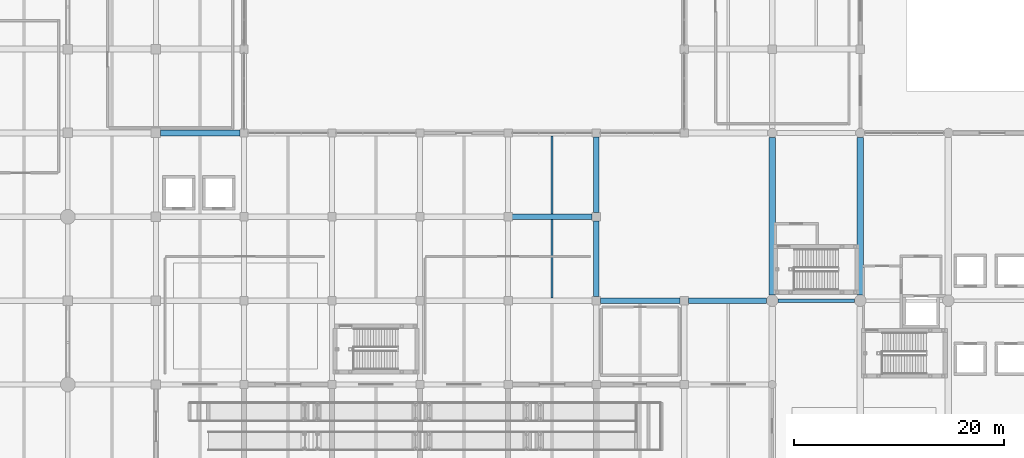
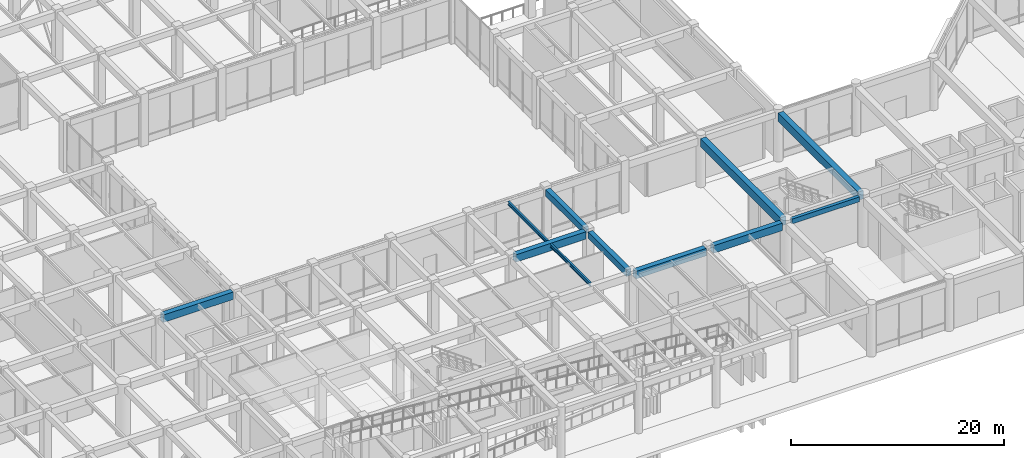
# One storey, part 23 of 76: 11 beams.
"""IFC4 building model written with IfcOpenShell, lengths in metres."""

from ifc_helpers import new_model, si_unit, direction, frame, origin, origin_2d, place, context, subcontext, project, spatial, rectangle, i_section, extrude, material, material_profile, profile_set, type_object, element, save


model = new_model("IFC4")

# Units and contexts
model_context = context("Model", 3, precision=1e-05, world=origin(), true_north=direction((0.0, 1.0)))
body_context = subcontext(model_context, "Body", "Model", "MODEL_VIEW")
ifc_project = project(units=[si_unit("LENGTHUNIT", "METRE"), si_unit("AREAUNIT", "SQUARE_METRE"), si_unit("VOLUMEUNIT", "CUBIC_METRE"), si_unit("PLANEANGLEUNIT", "RADIAN"), si_unit("MASSUNIT", "GRAM", prefix="KILO")], contexts=[model_context])

# Site, building, storey
site_placement = place(None, origin())
site = spatial("IfcSite", under=ifc_project, at=site_placement, CompositionType="ELEMENT")
building_placement = place(site_placement, origin())
building = spatial("IfcBuilding", under=site, at=building_placement, Name="Naruveol Harbour Congress Hotel", CompositionType="ELEMENT")
storey_placement = place(building_placement, origin())
storey = spatial("IfcBuildingStorey", under=building, at=storey_placement, Name="L00", CompositionType="ELEMENT", Elevation=0.0)

# Beams
ifc_material_1 = material(Name="Concrete C40/50", Category="concrete")
ifc_material_profile_1 = material_profile(ifc_material_1, rectangle(XDim=0.5, YDim=0.75, at=origin_2d()), Name="RCB-500x750")
ifc_profile_set_1 = profile_set([ifc_material_profile_1], Name="Concrete C40/50")
beam_type_1 = type_object("IfcBeamType", Name="RC FLOOR GIRDER 500X750", PredefinedType="BEAM", material=ifc_profile_set_1)
for number, where, z_axis, x_axis, name in (
    (1, (100.800048828125, 16.39599609375, 5.324951171875), (0.0, 1.0, 0.0), (-1.0, 0.0, 0.0), "Transverse girder L01 CB3"),
    (2, (100.800048828125, 24.39599609375, 5.324951171875), (0.0, 1.0, 0.0), (-1.0, 0.0, 0.0), "Transverse girder L01 CB3"),
):
    element("IfcBeam", number, at=place(storey_placement, frame(where, z_axis=z_axis, x_axis=x_axis)), inside=storey, type_object=beam_type_1, Name=name, PredefinedType="BEAM", context=body_context, shape_type="SweptSolid", body=[
        extrude(rectangle(XDim=0.5, YDim=0.75, at=origin_2d()), origin(), (0.0, 0.0, 1.0), 7.2080078125),
    ])
ifc_material_2 = material(Name="Concrete C40/50", Category="concrete")
ifc_material_profile_2 = material_profile(ifc_material_2, rectangle(XDim=0.60009765625, YDim=0.949951171875, at=origin_2d()), Name="RCB-600x950")
ifc_profile_set_2 = profile_set([ifc_material_profile_2], Name="Concrete C40/50")
beam_type_2 = type_object("IfcBeamType", Name="RC LONG SPAN GIRDER 600X950", PredefinedType="BEAM", material=ifc_profile_set_2)
for number, where, z_axis, x_axis, name in (
    (3, (117.60009765625, 16.5458984375, 5.22509765625), (0.0, 1.0, 0.0), (-1.0, 0.0, 0.0), "Hotel pilotis girder L01 CB1"),
    (4, (126.0, 16.5458984375, 5.22509765625), (0.0, 1.0, 0.0), (-1.0, 0.0, 0.0), "Hotel pilotis girder L01 CB1"),
):
    element("IfcBeam", number, at=place(storey_placement, frame(where, z_axis=z_axis, x_axis=x_axis)), inside=storey, type_object=beam_type_2, Name=name, PredefinedType="BEAM", context=body_context, shape_type="SweptSolid", body=[
        extrude(rectangle(XDim=0.60009765625, YDim=0.949951171875, at=origin_2d()), origin(), (0.0, 0.0, 1.0), 15.008056640625),
    ])
ifc_material_3 = material(Name="Concrete C40/50", Category="concrete")
ifc_material_profile_3 = material_profile(ifc_material_3, rectangle(XDim=0.550048828125, YDim=0.85009765625, at=origin_2d()), Name="RCB-550x850")
ifc_profile_set_3 = profile_set([ifc_material_profile_3], Name="Concrete C40/50")
beam_type_3 = type_object("IfcBeamType", Name="RC PRIMARY GIRDER 550X850", PredefinedType="BEAM", material=ifc_profile_set_3)
beam_1_placement = place(storey_placement, frame((101.196044921875, 16.0, 5.27490234375), z_axis=(1.0, 0.0, 0.0), x_axis=(0.0, 1.0, 0.0)))
element("IfcBeam", 5, at=beam_1_placement, inside=storey, type_object=beam_type_3, Name="Floor girder L01 CB2", PredefinedType="BEAM", context=body_context, shape_type="SweptSolid", body=[
    extrude(rectangle(XDim=0.550048828125, YDim=0.85009765625, at=origin_2d()), origin(), (0.0, 0.0, 1.0), 7.60791015625),
])
beam_2_placement = place(storey_placement, frame((109.595947265625, 16.0, 5.27490234375), z_axis=(1.0, 0.0, 0.0), x_axis=(0.0, 1.0, 0.0)))
element("IfcBeam", 6, at=beam_2_placement, inside=storey, type_object=beam_type_3, Name="Floor girder L01 CB2", PredefinedType="BEAM", context=body_context, shape_type="SweptSolid", body=[
    extrude(rectangle(XDim=0.550048828125, YDim=0.85009765625, at=origin_2d()), origin(), (0.0, 0.0, 1.0), 7.4580078125),
])
beam_3_placement = place(storey_placement, frame((92.7958984375, 24.0, 5.27490234375), z_axis=(1.0, 0.0, 0.0), x_axis=(0.0, 1.0, 0.0)))
element("IfcBeam", 7, at=beam_3_placement, inside=storey, type_object=beam_type_3, Name="Floor girder L01 CB2", PredefinedType="BEAM", context=body_context, shape_type="SweptSolid", body=[
    extrude(rectangle(XDim=0.550048828125, YDim=0.85009765625, at=origin_2d()), origin(), (0.0, 0.0, 1.0), 7.608154296875),
])
beam_4_placement = place(storey_placement, frame((59.24609375, 32.0, 5.27490234375), z_axis=(1.0, 0.0, 0.0), x_axis=(0.0, 1.0, 0.0)))
element("IfcBeam", 8, at=beam_4_placement, inside=storey, type_object=beam_type_3, Name="Floor girder L01 CB2", PredefinedType="BEAM", context=body_context, shape_type="SweptSolid", body=[
    extrude(rectangle(XDim=0.550048828125, YDim=0.85009765625, at=origin_2d()), origin(), (0.0, 0.0, 1.0), 7.557861328125),
])
ifc_material_4 = material(Name="Concrete C40/50", Category="concrete")
ifc_material_profile_4 = material_profile(ifc_material_4, rectangle(XDim=0.35009765625, YDim=0.550048828125, at=origin_2d()), Name="RCB-350x550")
ifc_profile_set_4 = profile_set([ifc_material_profile_4], Name="Concrete C40/50")
beam_type_4 = type_object("IfcBeamType", Name="RC SECONDARY BEAM 350X550", PredefinedType="JOIST", material=ifc_profile_set_4)
beam_5_placement = place(storey_placement, frame((118.14599609375, 16.0, 5.425048828125), z_axis=(1.0, 0.0, 0.0), x_axis=(0.0, 1.0, 0.0)))
element("IfcBeam", 9, at=beam_5_placement, inside=storey, type_object=beam_type_4, Name="Hotel chord beam L01 CJ1", PredefinedType="JOIST", context=body_context, shape_type="SweptSolid", body=[
    extrude(rectangle(XDim=0.35009765625, YDim=0.550048828125, at=origin_2d()), origin(), (0.0, 0.0, 1.0), 7.30810546875),
])
ifc_material_5 = material(Name="Steel SN490", Category="steel")
ifc_material_profile_5 = material_profile(ifc_material_5, i_section(OverallWidth=0.199951171875, OverallDepth=0.39990234375, WebThickness=0.008056640625, FlangeThickness=0.012939453125, at=origin_2d()), Name="H-400x200x8x13")
ifc_profile_set_5 = profile_set([ifc_material_profile_5], Name="Steel SN490")
beam_type_5 = type_object("IfcBeamType", Name="STEEL SECONDARY JOIST H400", PredefinedType="JOIST", material=ifc_profile_set_5)
for number, where, z_axis, x_axis, name in (
    (10, (96.60009765625, 16.27099609375, 5.5), (0.0, 1.0, 0.0), (-1.0, 0.0, 0.0), "Secondary floor joist L01 SJ1"),
    (11, (96.60009765625, 24.27099609375, 5.5), (0.0, 1.0, 0.0), (-1.0, 0.0, 0.0), "Secondary floor joist L01 SJ1"),
):
    element("IfcBeam", number, at=place(storey_placement, frame(where, z_axis=z_axis, x_axis=x_axis)), inside=storey, type_object=beam_type_5, Name=name, PredefinedType="JOIST", context=body_context, shape_type="SweptSolid", body=[
        extrude(i_section(OverallWidth=0.199951171875, OverallDepth=0.39990234375, WebThickness=0.008056640625, FlangeThickness=0.012939453125, at=origin_2d()), origin(), (0.0, 0.0, 1.0), 7.4580078125),
    ])

save(model, "model.ifc")
